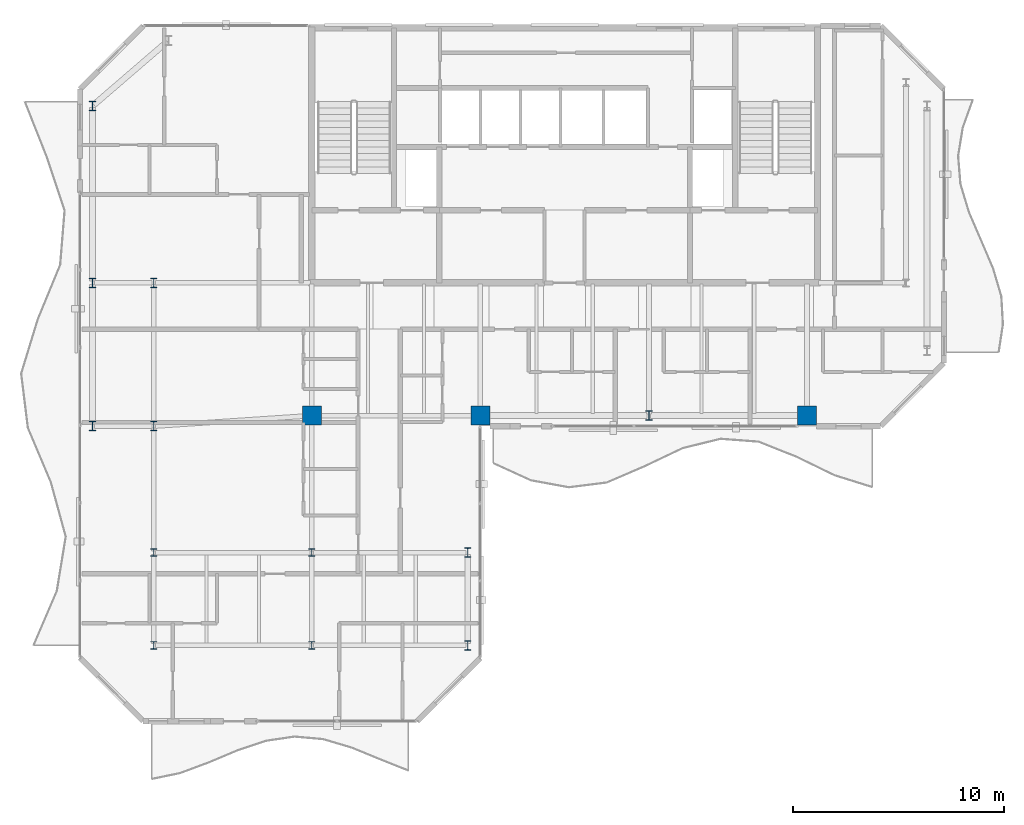
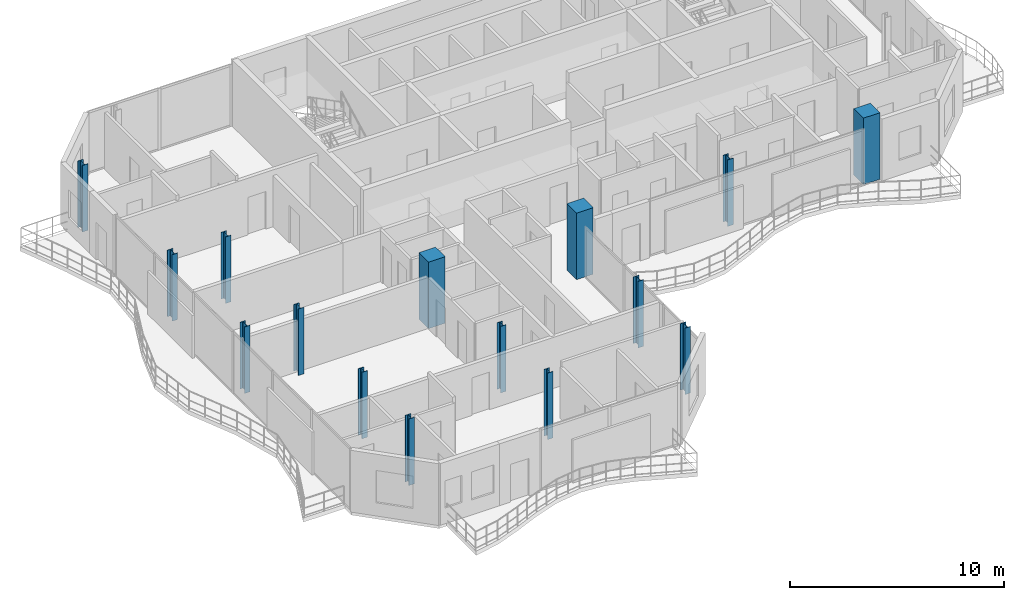
# One storey, part 1 of 24: 15 columns.
"""IFC4 building model written with IfcOpenShell, lengths in metres."""

from ifc_helpers import new_model, si_unit, direction, frame, origin, origin_2d, place, context, subcontext, project, spatial, rectangle, i_section, extrude, material, material_profile, profile_set, type_object, element, save


model = new_model("IFC4")

# Units and contexts
model_context = context("Model", 3, precision=1e-05, world=origin(), true_north=direction((0.0, 1.0)))
body_context = subcontext(model_context, "Body", "Model", "MODEL_VIEW")
ifc_project = project(units=[si_unit("LENGTHUNIT", "METRE"), si_unit("AREAUNIT", "SQUARE_METRE"), si_unit("VOLUMEUNIT", "CUBIC_METRE"), si_unit("PLANEANGLEUNIT", "RADIAN"), si_unit("MASSUNIT", "GRAM", prefix="KILO")], contexts=[model_context])

# Site, building, storey
site_placement = place(None, origin())
site = spatial("IfcSite", under=ifc_project, at=site_placement, CompositionType="ELEMENT")
building_placement = place(site_placement, origin())
building = spatial("IfcBuilding", under=site, at=building_placement, Name="Catumbela Crestline Tower", CompositionType="ELEMENT")
storey_placement = place(building_placement, frame((0.0, 0.0, 237.4)))
storey = spatial("IfcBuildingStorey", under=building, at=storey_placement, Name="L61", CompositionType="ELEMENT", Elevation=237.4)

# Columns
ifc_material_1 = material(Name="Concrete C45/55", Category="concrete")
ifc_material_profile_1 = material_profile(ifc_material_1, rectangle(XDim=0.9, YDim=0.9, at=origin_2d()), Name="RC 900x900")
ifc_profile_set_1 = profile_set([ifc_material_profile_1], Name="Concrete C45/55")
column_type_1 = type_object("IfcColumnType", Name="C-RC900-C45", PredefinedType="COLUMN", material=ifc_profile_set_1)
for number, where, z_axis, x_axis, name in (
    (1, (16.0, 24.5, 0.0), (0.0, 0.0, 1.0), (1.0, 0.0, 0.0), "L61 Column C-16-24 (RC 900x900)"),
    (2, (24.0, 24.5, 0.0), (0.0, 0.0, 1.0), (1.0, 0.0, 0.0), "L61 Column C-24-24 (RC 900x900)"),
    (3, (39.5, 24.5, 0.0), (0.0, 0.0, 1.0), (1.0, 0.0, 0.0), "L61 Column C-40-24 (RC 900x900)"),
):
    element("IfcColumn", number, at=place(storey_placement, frame(where, z_axis=z_axis, x_axis=x_axis)), inside=storey, type_object=column_type_1, Name=name, PredefinedType="COLUMN", context=body_context, shape_type="SweptSolid", body=[
        extrude(rectangle(XDim=0.9, YDim=0.9, at=origin_2d()), origin(), (0.0, 0.0, 1.0), 3.8),
    ])
ifc_material_2 = material(Name="Structural steel S355J2", Category="steel")
ifc_material_profile_2 = material_profile(ifc_material_2, i_section(OverallWidth=0.3, OverallDepth=0.36, WebThickness=0.0125, FlangeThickness=0.0225, FilletRadius=0.027, at=origin_2d()), Name="HEB 360")
ifc_profile_set_2 = profile_set([ifc_material_profile_2], Name="Structural steel S355J2")
column_type_2 = type_object("IfcColumnType", Name="C-ST-HEB360", PredefinedType="COLUMN", material=ifc_profile_set_2)
for number, where, z_axis, x_axis, name in (
    (4, (8.5, 13.6, 0.0), (0.0, 0.0, 1.0), (1.0, 0.0, 0.0), "L61 Column CT-05-10 (HEB 360)"),
    (5, (16.0, 13.6, 0.0), (0.0, 0.0, 1.0), (1.0, 0.0, 0.0), "L61 Column CT-14-10 (HEB 360)"),
    (6, (8.5, 18.0, 0.0), (0.0, 0.0, 1.0), (1.0, 0.0, 0.0), "L61 Column CT-05-16 (HEB 360)"),
    (7, (16.0, 18.0, 0.0), (0.0, 0.0, 1.0), (1.0, 0.0, 0.0), "L61 Column CT-14-16 (HEB 360)"),
):
    element("IfcColumn", number, at=place(storey_placement, frame(where, z_axis=z_axis, x_axis=x_axis)), inside=storey, type_object=column_type_2, Name=name, PredefinedType="COLUMN", context=body_context, shape_type="SweptSolid", body=[
        extrude(i_section(OverallWidth=0.3, OverallDepth=0.36, WebThickness=0.0125, FlangeThickness=0.0225, FilletRadius=0.027, at=origin_2d()), origin(), (0.0, 0.0, 1.0), 3.8),
    ])
ifc_material_profile_3 = material_profile(ifc_material_2, i_section(OverallWidth=0.3, OverallDepth=0.45, WebThickness=0.014, FlangeThickness=0.026, FilletRadius=0.027, at=origin_2d()), Name="HEB 450")
ifc_profile_set_3 = profile_set([ifc_material_profile_3], Name="Structural steel S355J2")
column_type_3 = type_object("IfcColumnType", Name="C-ST-HEB450", PredefinedType="COLUMN", material=ifc_profile_set_3)
for number, where, z_axis, x_axis, name in (
    (8, (8.5, 24.0, 0.0), (0.0, 0.0, 1.0), (1.0, 0.0, 0.0), "L61 Column C-08-24 (HEB 450)"),
    (9, (32.0, 24.5, 0.0), (0.0, 0.0, 1.0), (1.0, 0.0, 0.0), "L61 Column C-32-24 (HEB 450)"),
    (10, (5.6, 24.0, 0.0), (0.0, 0.0, 1.0), (1.0, 0.0, 0.0), "L61 Column C-05-24 (HEB 450)"),
    (11, (5.6, 30.8, 0.0), (0.0, 0.0, 1.0), (1.0, 0.0, 0.0), "L61 Column C-05-31 (HEB 450)"),
    (12, (5.6, 39.2, 0.0), (0.0, 0.0, 1.0), (1.0, 0.0, 0.0), "L61 Column C-05-43 (HEB 450)"),
    (13, (8.5, 30.8, 0.0), (0.0, 0.0, 1.0), (1.0, 0.0, 0.0), "L61 Column C-08-31 (HEB 450)"),
    (14, (23.4, 13.6, 0.0), (0.0, 0.0, 1.0), (1.0, 0.0, 0.0), "L61 Column C-24-10 (HEB 450)"),
    (15, (23.4, 18.0, 0.0), (0.0, 0.0, 1.0), (1.0, 0.0, 0.0), "L61 Column C-24-16 (HEB 450)"),
):
    element("IfcColumn", number, at=place(storey_placement, frame(where, z_axis=z_axis, x_axis=x_axis)), inside=storey, type_object=column_type_3, Name=name, PredefinedType="COLUMN", context=body_context, shape_type="SweptSolid", body=[
        extrude(i_section(OverallWidth=0.3, OverallDepth=0.45, WebThickness=0.014, FlangeThickness=0.026, FilletRadius=0.027, at=origin_2d()), origin(), (0.0, 0.0, 1.0), 3.8),
    ])

save(model, "model.ifc")
